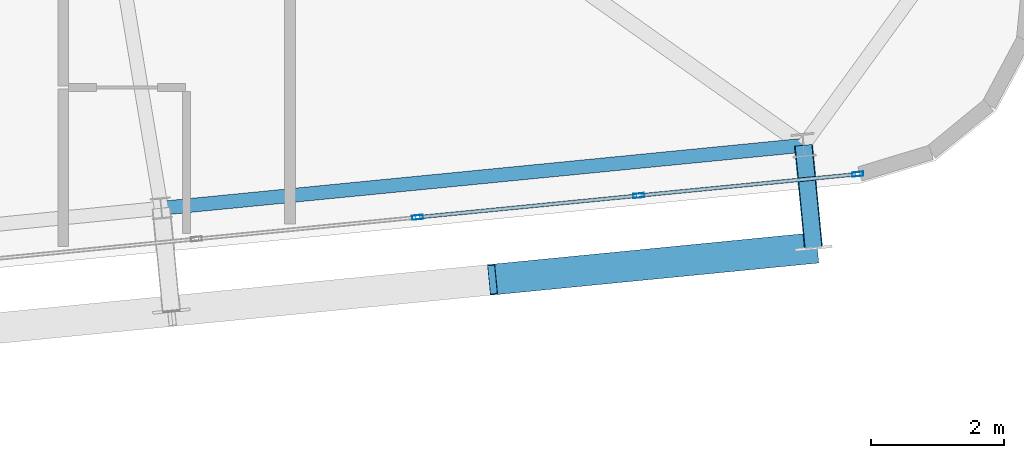
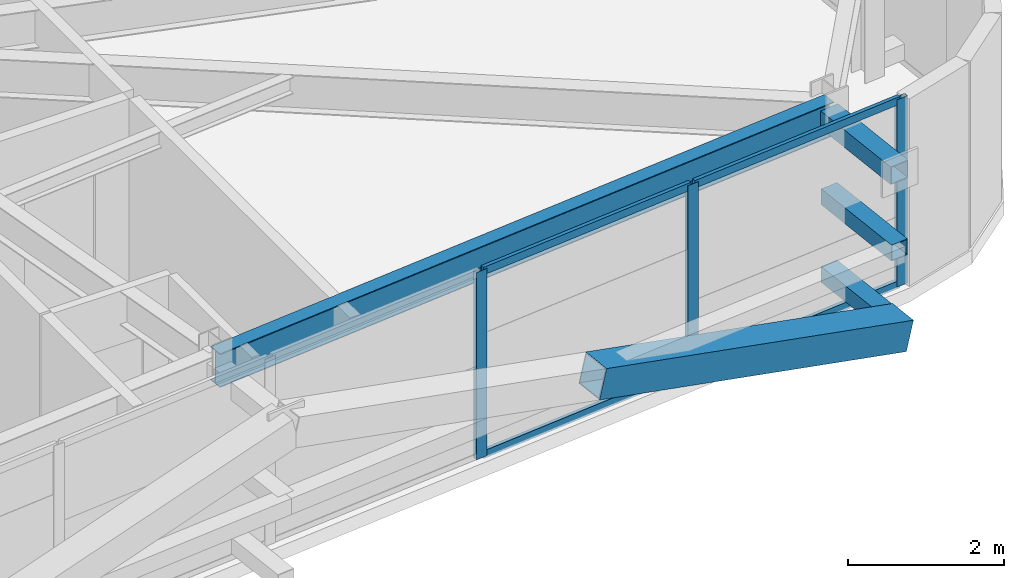
# One storey, part 20 of 54: 11 members, 1 beam, 1 element without a shape of its own.
"""IFC4 building model written with IfcOpenShell, lengths in metres."""

from ifc_helpers import new_model, si_unit, direction, frame, origin, origin_2d, place, context, subcontext, project, spatial, hollow_rectangle, i_section, extrude, source, transform, mapped, material, layer, layer_set, material_profile, profile_set, type_object, element, aggregate, save


model = new_model("IFC4")

# Units and contexts
model_context = context("Model", 3, precision=1e-05, world=origin(), true_north=direction((0.0, 1.0)))
body_context = subcontext(model_context, "Body", "Model", "MODEL_VIEW")
ifc_project = project(units=[si_unit("LENGTHUNIT", "METRE"), si_unit("AREAUNIT", "SQUARE_METRE"), si_unit("VOLUMEUNIT", "CUBIC_METRE"), si_unit("PLANEANGLEUNIT", "RADIAN"), si_unit("MASSUNIT", "GRAM", prefix="KILO")], contexts=[model_context])

# Site, building, storey
site_placement = place(None, origin())
site = spatial("IfcSite", under=ifc_project, at=site_placement, CompositionType="ELEMENT")
building_placement = place(site_placement, origin())
building = spatial("IfcBuilding", under=site, at=building_placement, Name="Taldren Reach Tower", CompositionType="ELEMENT")
storey_placement = place(building_placement, frame((0.0, 0.0, 102.89990234375)))
storey = spatial("IfcBuildingStorey", under=building, at=storey_placement, Name="L31", CompositionType="ELEMENT", Elevation=102.89990234375)

# Members
ifc_material_1 = material(Name="Steel Gr 450 (C450L0)", Category="steel")
ifc_material_profile_1 = material_profile(ifc_material_1, hollow_rectangle(XDim=0.27490234375, YDim=0.27490234375, WallThickness=0.00927734375, at=origin_2d()), Name="275x275x9.3SHS")
ifc_profile_set_1 = profile_set([ifc_material_profile_1], Name="Steel Gr 450 (C450L0)")
member_type_1 = type_object("IfcMemberType", Name="MB-TIE273", PredefinedType="STRUT", material=ifc_profile_set_1)
shared_shape_1 = source(origin(), body_context, "Body", "SweptSolid", [
    extrude(hollow_rectangle(XDim=0.27490234375, YDim=0.27490234375, WallThickness=0.00927734375, at=origin_2d()), origin(), (0.0, 0.0, 1.0), 1.5498046875),
])
member_1_placement = place(storey_placement, frame((63.103271484375, 4.64306640625, 2.650146484375), z_axis=(0.097507178627, -0.995234821595, 0.0), x_axis=(0.995234821595, 0.097507178627, 0.0)))
element("IfcMember", 1, at=member_1_placement, inside=storey, type_object=member_type_1, Name="Exoskeleton diaphragm tie strut B2-S6 L31", PredefinedType="STRUT", context=body_context, shape_type="MappedRepresentation", body=[
    mapped(shared_shape_1, transform((0.0, 0.0, 0.0), scale=1.0)),
])
ifc_material_2 = material(Name="Steel Gr 350 (C350L0)", Category="steel")
ifc_material_profile_2 = material_profile(ifc_material_2, hollow_rectangle(XDim=0.25, YDim=0.25, WallThickness=0.010009765625, at=origin_2d()), Name="250x250x10.0SHS")
ifc_profile_set_2 = profile_set([ifc_material_profile_2], Name="Steel Gr 350 (C350L0)")
member_type_2 = type_object("IfcMemberType", Name="MB-POST250", PredefinedType="POST", material=ifc_profile_set_2)
shared_shape_2 = source(origin(), body_context, "Body", "SweptSolid", [
    extrude(hollow_rectangle(XDim=0.25, YDim=0.25, WallThickness=0.010009765625, at=origin_2d()), origin(), (0.0, 0.0, 1.0), 1.5498046875),
])
for number, where, z_axis, x_axis, name in (
    (2, (63.103271484375, 4.64306640625, 0.22021484375), (0.097507178627, -0.995234821595, 0.0), (0.995234821595, 0.097507178627, 0.0), "Exoskeleton base diaphragm tie strut B2-S6 L31"),
    (3, (63.103271484375, 4.64306640625, 1.43505859375), (0.097507178627, -0.995234821595, 0.0), (0.995234821595, 0.097507178627, 0.0), "Exoskeleton mid-tier diaphragm tie B2-S6 L31"),
):
    element("IfcMember", number, at=place(storey_placement, frame(where, z_axis=z_axis, x_axis=x_axis)), inside=storey, type_object=member_type_2, Name=name, PredefinedType="POST", context=body_context, shape_type="MappedRepresentation", body=[
        mapped(shared_shape_2, transform((0.0, 0.0, 0.0), scale=1.0)),
    ])

# Beam
ifc_material_3 = material(Name="Steel Gr 350 (350PLUS)", Category="steel")
ifc_material_profile_3 = material_profile(ifc_material_3, i_section(OverallWidth=0.208984375, OverallDepth=0.528076171875, WebThickness=0.009521484375, FlangeThickness=0.01318359375, at=origin_2d()), Name="530UB82.0")
ifc_profile_set_3 = profile_set([ifc_material_profile_3], Name="Steel Gr 350 (350PLUS)")
beam_type = type_object("IfcBeamType", Name="SP-UB530B", PredefinedType="SPANDREL", material=ifc_profile_set_3)
shared_shape_3 = source(origin(), body_context, "Body", "SweptSolid", [
    extrude(i_section(OverallWidth=0.208984375, OverallDepth=0.528076171875, WebThickness=0.009521484375, FlangeThickness=0.01318359375, at=origin_2d()), origin(), (0.0, 0.0, 1.0), 9.679931640625),
])
beam_placement = place(storey_placement, frame((53.469482421875, 3.698486328125, 2.666015625), z_axis=(0.995227612658, 0.097580730699, 0.0), x_axis=(-0.097580730699, 0.995227612658, 0.0)))
element("IfcBeam", 4, at=beam_placement, inside=storey, type_object=beam_type, Name="Perimeter spandrel B2 S5-S6 L31", PredefinedType="SPANDREL", context=body_context, shape_type="MappedRepresentation", body=[
    mapped(shared_shape_3, transform((0.0, 0.0, 0.0), scale=1.0)),
])

# Member
ifc_material_profile_4 = material_profile(ifc_material_1, hollow_rectangle(XDim=0.4599609375, YDim=0.4599609375, WallThickness=0.01611328125, at=origin_2d()), Name="460x460x16.0SHS")
ifc_profile_set_4 = profile_set([ifc_material_profile_4], Name="Steel Gr 450 (C450L0)")
member_type_3 = type_object("IfcMemberType", Name="MB-EXO457", PredefinedType="BRACE", material=ifc_profile_set_4)
shared_shape_4 = source(origin(), body_context, "Body", "SweptSolid", [
    extrude(hollow_rectangle(XDim=0.4599609375, YDim=0.4599609375, WallThickness=0.01611328125, at=origin_2d()), origin(), (0.0, 0.0, 1.0), 4.990234375),
])
member_2_placement = place(storey_placement, frame((63.25439453125, 3.1005859375, 0.22021484375), z_axis=(-0.965282554799, -0.094669120301, 0.243448859234), x_axis=(0.097605711627, -0.995225162995, 0.0)))
element("IfcMember", 5, at=member_2_placement, inside=storey, type_object=member_type_3, Name="Exoskeleton Diagrid Brace B2-S5 L31", PredefinedType="BRACE", context=body_context, shape_type="MappedRepresentation", body=[
    mapped(shared_shape_4, transform((0.0, 0.0, 0.0), scale=1.0)),
])

# Curtain wall, members
ifc_material_4 = material(Name="Aluminium and Low-E Glass Unitised System", Category="aluminium")
ifc_layer = layer(ifc_material_4, 0.159912109375)
ifc_layer_set = layer_set([ifc_layer], Name="Aluminium and Low-E Glass Unitised System")
curtain_wall_type = type_object("IfcCurtainWallType", Name="CW-SYS-3", PredefinedType="NOTDEFINED", material=ifc_layer_set)
curtain_wall_placement = place(storey_placement, origin())
curtain_wall = element("IfcCurtainWall", 6, at=curtain_wall_placement, inside=storey, type_object=curtain_wall_type, Name="Unitised curtain wall CW-L31-S", PredefinedType="NOTDEFINED")
ifc_material_5 = material(Name="Anodised Aluminium 6063-T6", Category="aluminium")
ifc_material_profile_5 = material_profile(ifc_material_5, hollow_rectangle(XDim=0.06494140625, YDim=0.1650390625, WallThickness=0.00390625, at=origin_2d()), Name="ALU-165x65x4RHS")
ifc_profile_set_5 = profile_set([ifc_material_profile_5], Name="Anodised Aluminium 6063-T6")
member_type_4 = type_object("IfcMemberType", Name="CW-MUL-165", PredefinedType="MULLION", material=ifc_profile_set_5)
shared_shape_5 = source(origin(), body_context, "Body", "SweptSolid", [
    extrude(hollow_rectangle(XDim=0.06494140625, YDim=0.1650390625, WallThickness=0.00390625, at=origin_2d()), origin(), (0.0, 0.0, 1.0), 2.93017578125),
])
member_3_placement = place(storey_placement, frame((57.314208984375, 3.56298828125, 0.0), z_axis=(0.0, 0.0, 1.0), x_axis=(-0.097582999046, 0.995227390247, 0.0)))
member_3 = element("IfcMember", 7, at=member_3_placement, type_object=member_type_4, Name="CW-3 mullion 14", PredefinedType="MULLION", context=body_context, shape_type="MappedRepresentation", body=[
    mapped(shared_shape_5, transform((0.0, 0.0, 0.0), scale=1.0)),
])
member_4_placement = place(storey_placement, frame((60.631591796875, 3.888427734375, 0.0), z_axis=(0.0, 0.0, 1.0), x_axis=(-0.097582999046, 0.995227390247, 0.0)))
member_4 = element("IfcMember", 8, at=member_4_placement, type_object=member_type_4, Name="CW-3 mullion 15", PredefinedType="MULLION", context=body_context, shape_type="MappedRepresentation", body=[
    mapped(shared_shape_5, transform((0.0, 0.0, 0.0), scale=1.0)),
])
member_5_placement = place(storey_placement, frame((63.916748046875, 4.21044921875, 0.0), z_axis=(0.0, 0.0, 1.0), x_axis=(-0.097582999046, 0.995227390247, 0.0)))
member_5 = element("IfcMember", 9, at=member_5_placement, type_object=member_type_4, Name="CW-3 mullion 16", PredefinedType="MULLION", context=body_context, shape_type="MappedRepresentation", body=[
    mapped(shared_shape_5, transform((0.0, 0.0, 0.0), scale=1.0)),
])
ifc_material_profile_6 = material_profile(ifc_material_5, hollow_rectangle(XDim=0.054931640625, YDim=0.1201171875, WallThickness=0.0029296875, at=origin_2d()), Name="ALU-120x55x3RHS")
ifc_profile_set_6 = profile_set([ifc_material_profile_6], Name="Anodised Aluminium 6063-T6")
member_type_5 = type_object("IfcMemberType", Name="CW-TRN-135", PredefinedType="USERDEFINED", material=ifc_profile_set_6)
shared_shape_6 = source(origin(), body_context, "Body", "SweptSolid", [
    extrude(hollow_rectangle(XDim=0.054931640625, YDim=0.1201171875, WallThickness=0.0029296875, at=origin_2d()), origin(), (0.0, 0.0, 1.0), 3.23583984375),
])
member_6_placement = place(storey_placement, frame((60.6640625, 3.8916015625, 0.027587890625), z_axis=(0.995230248826, 0.097553840629, 0.0), x_axis=(-0.097553840629, 0.995230248826, 0.0)))
member_6 = element("IfcMember", 10, at=member_6_placement, type_object=member_type_5, Name="CW-3 transom 15.1", ObjectType="TRANSOM", PredefinedType="USERDEFINED", context=body_context, shape_type="MappedRepresentation", body=[
    mapped(shared_shape_6, transform((0.0, 0.0, 0.0), scale=1.0)),
])
member_7_placement = place(storey_placement, frame((60.6640625, 3.8916015625, 2.902587890625), z_axis=(0.995230248826, 0.097553840629, 0.0), x_axis=(-0.097553840629, 0.995230248826, 0.0)))
member_7 = element("IfcMember", 11, at=member_7_placement, type_object=member_type_5, Name="CW-3 transom 15.2", ObjectType="TRANSOM", PredefinedType="USERDEFINED", context=body_context, shape_type="MappedRepresentation", body=[
    mapped(shared_shape_6, transform((0.0, 0.0, 0.0), scale=1.0)),
])
shared_shape_7 = source(origin(), body_context, "Body", "SweptSolid", [
    extrude(hollow_rectangle(XDim=0.054931640625, YDim=0.1201171875, WallThickness=0.0029296875, at=origin_2d()), origin(), (0.0, 0.0, 1.0), 3.268310546875),
])
member_8_placement = place(storey_placement, frame((57.3466796875, 3.566162109375, 0.027587890625), z_axis=(0.995222549564, 0.097632355496, 0.0), x_axis=(-0.097632355496, 0.995222549564, 0.0)))
member_8 = element("IfcMember", 12, at=member_8_placement, type_object=member_type_5, Name="CW-3 transom 14.1", ObjectType="TRANSOM", PredefinedType="USERDEFINED", context=body_context, shape_type="MappedRepresentation", body=[
    mapped(shared_shape_7, transform((0.0, 0.0, 0.0), scale=1.0)),
])
member_9_placement = place(storey_placement, frame((57.3466796875, 3.566162109375, 2.902587890625), z_axis=(0.995222549564, 0.097632355496, 0.0), x_axis=(-0.097632355496, 0.995222549564, 0.0)))
member_9 = element("IfcMember", 13, at=member_9_placement, type_object=member_type_5, Name="CW-3 transom 14.2", ObjectType="TRANSOM", PredefinedType="USERDEFINED", context=body_context, shape_type="MappedRepresentation", body=[
    mapped(shared_shape_7, transform((0.0, 0.0, 0.0), scale=1.0)),
])
aggregate(curtain_wall, [member_3, member_4, member_5, member_8, member_9, member_6, member_7])

save(model, "model.ifc")
